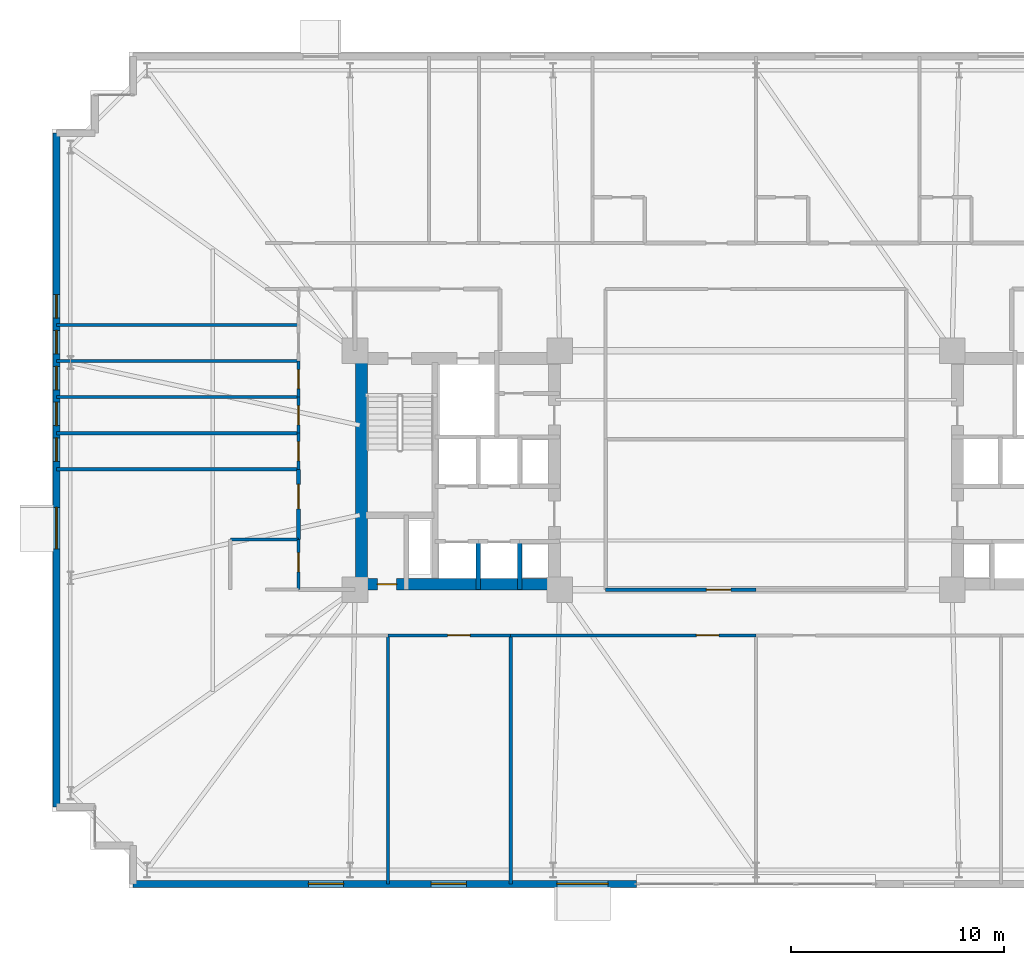
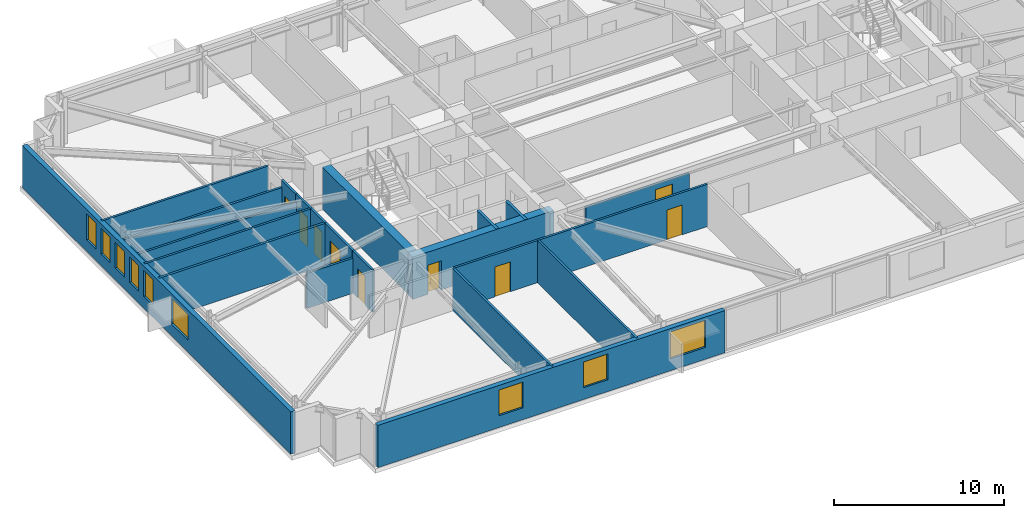
# One storey, part 18 of 24: 22 walls, 9 doors, 9 windows, 18 openings.
"""IFC4 building model written with IfcOpenShell, lengths in metres."""

from ifc_helpers import new_model, si_unit, direction, frame, frame_2d, origin, place, context, subcontext, project, spatial, rectangle, extrude, material, layer, layer_set, type_object, element, fill, save


model = new_model("IFC4")

# Units and contexts
model_context = context("Model", 3, precision=1e-05, world=origin(), true_north=direction((0.0, 1.0)))
body_context = subcontext(model_context, "Body", "Model", "MODEL_VIEW")
ifc_project = project(units=[si_unit("LENGTHUNIT", "METRE"), si_unit("AREAUNIT", "SQUARE_METRE"), si_unit("VOLUMEUNIT", "CUBIC_METRE"), si_unit("PLANEANGLEUNIT", "RADIAN"), si_unit("MASSUNIT", "GRAM", prefix="KILO")], contexts=[model_context])

# Site, building, storey
site_placement = place(None, origin())
site = spatial("IfcSite", under=ifc_project, at=site_placement, CompositionType="ELEMENT")
building_placement = place(site_placement, origin())
building = spatial("IfcBuilding", under=site, at=building_placement, Name="Qobustan Lattice House", CompositionType="ELEMENT")
storey_placement = place(building_placement, frame((0.0, 0.0, 43.75)))
storey = spatial("IfcBuildingStorey", under=building, at=storey_placement, Name="L11", CompositionType="ELEMENT", Elevation=43.75)

# Wall, opening, door
ifc_material_1 = material(Name="Concrete C60/75", Category="concrete")
ifc_layer_1 = layer(ifc_material_1, 0.56005859375)
ifc_layer_set_1 = layer_set([ifc_layer_1], Name="Concrete C60/75")
wall_type_1 = type_object("IfcWallType", Name="WAL-CORE-600", PredefinedType="SHEAR", material=ifc_layer_set_1)
wall_1_placement = place(storey_placement, frame((-18.800048828125, -5.35009765625, 0.0), z_axis=(0.0, 0.0, 1.0), x_axis=(1.0, 0.0, 0.0)))
wall_1 = element("IfcWall", 1, at=wall_1_placement, inside=storey, type_object=wall_type_1, Name="L11 split-core shear wall CW-S", PredefinedType="SHEAR", context=body_context, shape_type="SweptSolid", body=[
    extrude(rectangle(XDim=9.60009765625, YDim=0.56005859375, at=frame_2d((4.800048828125, 0.0))), origin(), (0.0, 0.0, 1.0), 3.034912109375),
])
opening_1_placement = place(wall_1_placement, frame((1.050048828125, 0.0, 0.0)))
opening_1 = element("IfcOpeningElement", 2, at=opening_1_placement, cuts=wall_1, Name="Opening RD-01", PredefinedType="OPENING", context=body_context, shape_type="SweptSolid", body=[
    extrude(rectangle(XDim=0.89990234375, YDim=2.10009765625, at=frame_2d((0.449951171875, 1.050048828125))), frame((0.0, 0.2900390625, 0.0), z_axis=(0.0, -1.0, 0.0), x_axis=(1.0, 0.0, 0.0)), (0.0, 0.0, 1.0), 0.580078125),
])
ifc_material_2 = material(Name="Persian walnut timber and steel frame door", Category="steel")
door_type_1 = type_object("IfcDoorType", Name="DOR-RISER-FD-900x2100", OperationType="NOTDEFINED", PredefinedType="DOOR", material=ifc_material_2)
door_1_placement = place(opening_1_placement, origin())
door_1 = element("IfcDoor", 3, at=door_1_placement, inside=storey, type_object=door_type_1, Name="L11 core service riser access door W", OperationType="SINGLE_SWING_LEFT", OverallHeight=2.10009765625, OverallWidth=0.89990234375, PredefinedType="DOOR", context=body_context, shape_type="SweptSolid", body=[
    extrude(rectangle(XDim=0.89990234375, YDim=2.10009765625, at=frame_2d((0.449951171875, 1.050048828125))), frame((0.0, 0.02490234375, 0.0), z_axis=(0.0, -1.0, 0.0), x_axis=(1.0, 0.0, 0.0)), (0.0, 0.0, 1.0), 0.050048828125),
])
fill(opening_1, door_1)

# Wall
wall_2_placement = place(storey_placement, frame((-18.489990234375, -5.050048828125, 0.0), z_axis=(0.0, 0.0, 1.0), x_axis=(0.0, 1.0, 0.0)))
element("IfcWall", 4, at=wall_2_placement, inside=storey, type_object=wall_type_1, Name="L11 split-core shear wall CW-W", PredefinedType="SHEAR", context=body_context, shape_type="SweptSolid", body=[
    extrude(rectangle(XDim=10.10009765625, YDim=0.56005859375, at=frame_2d((5.050048828125, 0.0))), origin(), (0.0, 0.0, 1.0), 3.034912109375),
])

# Wall, openings, windows
ifc_material_3 = material(Name="Precast concrete C40/50", Category="concrete")
ifc_layer_2 = layer(ifc_material_3, 0.320068359375)
ifc_layer_set_2 = layer_set([ifc_layer_2], Name="Precast concrete C40/50")
wall_type_2 = type_object("IfcWallType", Name="WAL-EXT-STONE-320", PredefinedType="SOLIDWALL", material=ifc_layer_set_2)
wall_3_placement = place(storey_placement, frame((-32.800048828125, -15.800048828125, 0.0), z_axis=(0.0, 0.0, 1.0), x_axis=(0.0, 1.0, 0.0)))
wall_3 = element("IfcWall", 5, at=wall_3_placement, inside=storey, type_object=wall_type_2, Name="L11 exterior limestone-clad wall 5", PredefinedType="SOLIDWALL", context=body_context, shape_type="SweptSolid", body=[
    extrude(rectangle(XDim=31.60009765625, YDim=0.320068359375, at=frame_2d((15.800048828125, 0.0))), origin(), (0.0, 0.0, 1.0), 3.034912109375),
])
opening_2_placement = place(wall_3_placement, frame((12.10498046875, 0.0, 0.85009765625)))
opening_2 = element("IfcOpeningElement", 6, at=opening_2_placement, cuts=wall_3, Name="Opening WN-08", PredefinedType="OPENING", context=body_context, shape_type="SweptSolid", body=[
    extrude(rectangle(XDim=1.949951171875, YDim=1.85009765625, at=frame_2d((0.97509765625, 0.925048828125))), frame((0.0, 0.169921875, 0.0), z_axis=(0.0, -1.0, 0.0), x_axis=(1.0, 0.0, 0.0)), (0.0, 0.0, 1.0), 0.340087890625),
])
opening_3_placement = place(wall_3_placement, frame((16.2099609375, 0.0, 0.85009765625)))
opening_3 = element("IfcOpeningElement", 7, at=opening_3_placement, cuts=wall_3, Name="Opening WN-04", PredefinedType="OPENING", context=body_context, shape_type="SweptSolid", body=[
    extrude(rectangle(XDim=1.10009765625, YDim=1.85009765625, at=frame_2d((0.550048828125, 0.925048828125))), frame((0.0, 0.169921875, 0.0), z_axis=(0.0, -1.0, 0.0), x_axis=(1.0, 0.0, 0.0)), (0.0, 0.0, 1.0), 0.340087890625),
])
opening_4_placement = place(wall_3_placement, frame((17.889892578125, 0.0, 0.85009765625)))
opening_4 = element("IfcOpeningElement", 8, at=opening_4_placement, cuts=wall_3, Name="Opening WN-04", PredefinedType="OPENING", context=body_context, shape_type="SweptSolid", body=[
    extrude(rectangle(XDim=1.10009765625, YDim=1.85009765625, at=frame_2d((0.550048828125, 0.925048828125))), frame((0.0, 0.169921875, 0.0), z_axis=(0.0, -1.0, 0.0), x_axis=(1.0, 0.0, 0.0)), (0.0, 0.0, 1.0), 0.340087890625),
])
opening_5_placement = place(wall_3_placement, frame((19.570068359375, 0.0, 0.85009765625)))
opening_5 = element("IfcOpeningElement", 9, at=opening_5_placement, cuts=wall_3, Name="Opening WN-04", PredefinedType="OPENING", context=body_context, shape_type="SweptSolid", body=[
    extrude(rectangle(XDim=1.10009765625, YDim=1.85009765625, at=frame_2d((0.550048828125, 0.925048828125))), frame((0.0, 0.169921875, 0.0), z_axis=(0.0, -1.0, 0.0), x_axis=(1.0, 0.0, 0.0)), (0.0, 0.0, 1.0), 0.340087890625),
])
opening_6_placement = place(wall_3_placement, frame((21.25, 0.0, 0.85009765625)))
opening_6 = element("IfcOpeningElement", 10, at=opening_6_placement, cuts=wall_3, Name="Opening WN-04", PredefinedType="OPENING", context=body_context, shape_type="SweptSolid", body=[
    extrude(rectangle(XDim=1.10009765625, YDim=1.85009765625, at=frame_2d((0.550048828125, 0.925048828125))), frame((0.0, 0.169921875, 0.0), z_axis=(0.0, -1.0, 0.0), x_axis=(1.0, 0.0, 0.0)), (0.0, 0.0, 1.0), 0.340087890625),
])
opening_7_placement = place(wall_3_placement, frame((22.929931640625, 0.0, 0.85009765625)))
opening_7 = element("IfcOpeningElement", 11, at=opening_7_placement, cuts=wall_3, Name="Opening WN-04", PredefinedType="OPENING", context=body_context, shape_type="SweptSolid", body=[
    extrude(rectangle(XDim=1.10009765625, YDim=1.85009765625, at=frame_2d((0.550048828125, 0.925048828125))), frame((0.0, 0.169921875, 0.0), z_axis=(0.0, -1.0, 0.0), x_axis=(1.0, 0.0, 0.0)), (0.0, 0.0, 1.0), 0.340087890625),
])
ifc_material_4 = material(Name="Double-glazed low-E aluminium window", Category="aluminium")
window_type_1 = type_object("IfcWindowType", Name="WIN-KIT-1950x1850", PartitioningType="SINGLE_PANEL", PredefinedType="WINDOW", material=ifc_material_4)
window_1_placement = place(opening_2_placement, origin())
window_1 = element("IfcWindow", 12, at=window_1_placement, inside=storey, type_object=window_type_1, Name="L11 Shared kitchen L11W window", OverallHeight=1.85009765625, OverallWidth=1.949951171875, PartitioningType="SINGLE_PANEL", PredefinedType="WINDOW", context=body_context, shape_type="SweptSolid", body=[
    extrude(rectangle(XDim=1.949951171875, YDim=1.85009765625, at=frame_2d((0.97509765625, 0.925048828125))), frame((0.0, 0.030029296875, 0.0), z_axis=(0.0, -1.0, 0.0), x_axis=(1.0, 0.0, 0.0)), (0.0, 0.0, 1.0), 0.06005859375),
])
fill(opening_2, window_1)
ifc_material_5 = material(Name="Double-glazed low-E aluminium window", Category="aluminium")
window_type_2 = type_object("IfcWindowType", Name="WIN-NAR-1100x1850", PartitioningType="SINGLE_PANEL", PredefinedType="WINDOW", material=ifc_material_5)
window_2_placement = place(opening_3_placement, origin())
window_2 = element("IfcWindow", 13, at=window_2_placement, inside=storey, type_object=window_type_2, Name="L11 Cluster bedroom L11W1 window", OverallHeight=1.85009765625, OverallWidth=1.10009765625, PartitioningType="SINGLE_PANEL", PredefinedType="WINDOW", context=body_context, shape_type="SweptSolid", body=[
    extrude(rectangle(XDim=1.10009765625, YDim=1.85009765625, at=frame_2d((0.550048828125, 0.925048828125))), frame((0.0, 0.030029296875, 0.0), z_axis=(0.0, -1.0, 0.0), x_axis=(1.0, 0.0, 0.0)), (0.0, 0.0, 1.0), 0.06005859375),
])
fill(opening_3, window_2)
window_3_placement = place(opening_4_placement, origin())
window_3 = element("IfcWindow", 14, at=window_3_placement, inside=storey, type_object=window_type_2, Name="L11 Cluster bedroom L11W2 window", OverallHeight=1.85009765625, OverallWidth=1.10009765625, PartitioningType="SINGLE_PANEL", PredefinedType="WINDOW", context=body_context, shape_type="SweptSolid", body=[
    extrude(rectangle(XDim=1.10009765625, YDim=1.85009765625, at=frame_2d((0.550048828125, 0.925048828125))), frame((0.0, 0.030029296875, 0.0), z_axis=(0.0, -1.0, 0.0), x_axis=(1.0, 0.0, 0.0)), (0.0, 0.0, 1.0), 0.06005859375),
])
fill(opening_4, window_3)
window_4_placement = place(opening_5_placement, origin())
window_4 = element("IfcWindow", 15, at=window_4_placement, inside=storey, type_object=window_type_2, Name="L11 Cluster bedroom L11W3 window", OverallHeight=1.85009765625, OverallWidth=1.10009765625, PartitioningType="SINGLE_PANEL", PredefinedType="WINDOW", context=body_context, shape_type="SweptSolid", body=[
    extrude(rectangle(XDim=1.10009765625, YDim=1.85009765625, at=frame_2d((0.550048828125, 0.925048828125))), frame((0.0, 0.030029296875, 0.0), z_axis=(0.0, -1.0, 0.0), x_axis=(1.0, 0.0, 0.0)), (0.0, 0.0, 1.0), 0.06005859375),
])
fill(opening_5, window_4)
window_5_placement = place(opening_6_placement, origin())
window_5 = element("IfcWindow", 16, at=window_5_placement, inside=storey, type_object=window_type_2, Name="L11 Cluster bedroom L11W4 window", OverallHeight=1.85009765625, OverallWidth=1.10009765625, PartitioningType="SINGLE_PANEL", PredefinedType="WINDOW", context=body_context, shape_type="SweptSolid", body=[
    extrude(rectangle(XDim=1.10009765625, YDim=1.85009765625, at=frame_2d((0.550048828125, 0.925048828125))), frame((0.0, 0.030029296875, 0.0), z_axis=(0.0, -1.0, 0.0), x_axis=(1.0, 0.0, 0.0)), (0.0, 0.0, 1.0), 0.06005859375),
])
fill(opening_6, window_5)
window_6_placement = place(opening_7_placement, origin())
window_6 = element("IfcWindow", 17, at=window_6_placement, inside=storey, type_object=window_type_2, Name="L11 Cluster bedroom L11W5 window", OverallHeight=1.85009765625, OverallWidth=1.10009765625, PartitioningType="SINGLE_PANEL", PredefinedType="WINDOW", context=body_context, shape_type="SweptSolid", body=[
    extrude(rectangle(XDim=1.10009765625, YDim=1.85009765625, at=frame_2d((0.550048828125, 0.925048828125))), frame((0.0, 0.030029296875, 0.0), z_axis=(0.0, -1.0, 0.0), x_axis=(1.0, 0.0, 0.0)), (0.0, 0.0, 1.0), 0.06005859375),
])
fill(opening_7, window_6)

wall_4_placement = place(storey_placement, frame((-5.60009765625, -19.39990234375, 0.0), z_axis=(0.0, 0.0, 1.0), x_axis=(-1.0, 0.0, 0.0)))
wall_4 = element("IfcWall", 18, at=wall_4_placement, inside=storey, type_object=wall_type_2, Name="L11 iwan flank stone wall B", PredefinedType="SOLIDWALL", context=body_context, shape_type="SweptSolid", body=[
    extrude(rectangle(XDim=23.599853515625, YDim=0.320068359375, at=frame_2d((11.7998046875, 0.0))), origin(), (0.0, 0.0, 1.0), 3.034912109375),
])
opening_8_placement = place(wall_4_placement, frame((1.330078125, 0.0, 0.85009765625)))
opening_8 = element("IfcOpeningElement", 19, at=opening_8_placement, cuts=wall_4, Name="Opening WN-10", PredefinedType="OPENING", context=body_context, shape_type="SweptSolid", body=[
    extrude(rectangle(XDim=2.39990234375, YDim=1.949951171875, at=frame_2d((1.199951171875, 0.97509765625))), frame((0.0, 0.169921875, 0.0), z_axis=(0.0, -1.0, 0.0), x_axis=(1.0, 0.0, 0.0)), (0.0, 0.0, 1.0), 0.340087890625),
])
opening_9_placement = place(wall_4_placement, frame((7.97509765625, 0.0, 0.85009765625)))
opening_9 = element("IfcOpeningElement", 20, at=opening_9_placement, cuts=wall_4, Name="Opening WN-09", PredefinedType="OPENING", context=body_context, shape_type="SweptSolid", body=[
    extrude(rectangle(XDim=1.64990234375, YDim=1.85009765625, at=frame_2d((0.824951171875, 0.925048828125))), frame((0.0, 0.169921875, 0.0), z_axis=(0.0, -1.0, 0.0), x_axis=(1.0, 0.0, 0.0)), (0.0, 0.0, 1.0), 0.340087890625),
])
opening_10_placement = place(wall_4_placement, frame((13.735107421875, 0.0, 0.85009765625)))
opening_10 = element("IfcOpeningElement", 21, at=opening_10_placement, cuts=wall_4, Name="Opening WN-09", PredefinedType="OPENING", context=body_context, shape_type="SweptSolid", body=[
    extrude(rectangle(XDim=1.64990234375, YDim=1.85009765625, at=frame_2d((0.824951171875, 0.925048828125))), frame((0.0, 0.169921875, 0.0), z_axis=(0.0, -1.0, 0.0), x_axis=(1.0, 0.0, 0.0)), (0.0, 0.0, 1.0), 0.340087890625),
])
ifc_material_6 = material(Name="Double-glazed low-E aluminium window", Category="aluminium")
window_type_3 = type_object("IfcWindowType", Name="WIN-LNG-2400x1950", PartitioningType="SINGLE_PANEL", PredefinedType="WINDOW", material=ifc_material_6)
window_7_placement = place(opening_8_placement, origin())
window_7 = element("IfcWindow", 22, at=window_7_placement, inside=storey, type_object=window_type_3, Name="L11 Walnut iwan sky lounge S2 window", OverallHeight=1.949951171875, OverallWidth=2.39990234375, PartitioningType="SINGLE_PANEL", PredefinedType="WINDOW", context=body_context, shape_type="SweptSolid", body=[
    extrude(rectangle(XDim=2.39990234375, YDim=1.949951171875, at=frame_2d((1.199951171875, 0.97509765625))), frame((0.0, 0.030029296875, 0.0), z_axis=(0.0, -1.0, 0.0), x_axis=(1.0, 0.0, 0.0)), (0.0, 0.0, 1.0), 0.06005859375),
])
fill(opening_8, window_7)
ifc_material_7 = material(Name="Double-glazed low-E aluminium window", Category="aluminium")
window_type_4 = type_object("IfcWindowType", Name="WIN-STU-1650x1850", PartitioningType="SINGLE_PANEL", PredefinedType="WINDOW", material=ifc_material_7)
window_8_placement = place(opening_9_placement, origin())
window_8 = element("IfcWindow", 23, at=window_8_placement, inside=storey, type_object=window_type_4, Name="L11 Focus study room S1B window", OverallHeight=1.85009765625, OverallWidth=1.64990234375, PartitioningType="SINGLE_PANEL", PredefinedType="WINDOW", context=body_context, shape_type="SweptSolid", body=[
    extrude(rectangle(XDim=1.64990234375, YDim=1.85009765625, at=frame_2d((0.824951171875, 0.925048828125))), frame((0.0, 0.030029296875, 0.0), z_axis=(0.0, -1.0, 0.0), x_axis=(1.0, 0.0, 0.0)), (0.0, 0.0, 1.0), 0.06005859375),
])
fill(opening_9, window_8)
window_9_placement = place(opening_10_placement, origin())
window_9 = element("IfcWindow", 24, at=window_9_placement, inside=storey, type_object=window_type_4, Name="L11 Focus study room S1A window", OverallHeight=1.85009765625, OverallWidth=1.64990234375, PartitioningType="SINGLE_PANEL", PredefinedType="WINDOW", context=body_context, shape_type="SweptSolid", body=[
    extrude(rectangle(XDim=1.64990234375, YDim=1.85009765625, at=frame_2d((0.824951171875, 0.925048828125))), frame((0.0, 0.030029296875, 0.0), z_axis=(0.0, -1.0, 0.0), x_axis=(1.0, 0.0, 0.0)), (0.0, 0.0, 1.0), 0.06005859375),
])
fill(opening_10, window_9)

# Wall, opening, door
ifc_material_8 = material(Name="Acoustic twin-stud gypsum partition", Category="gypsum")
ifc_layer_3 = layer(ifc_material_8, 0.14990234375)
ifc_layer_set_3 = layer_set([ifc_layer_3], Name="Acoustic twin-stud gypsum partition")
wall_type_3 = type_object("IfcWallType", Name="WAL-PART-150", PredefinedType="PARTITIONING", material=ifc_layer_set_3)
wall_5_placement = place(storey_placement, frame((-11.5, -7.75, 0.0), z_axis=(0.0, 0.0, 1.0), x_axis=(-1.0, 0.0, 0.0)))
wall_5 = element("IfcWall", 25, at=wall_5_placement, inside=storey, type_object=wall_type_3, Name="L11 interior partition 56", PredefinedType="PARTITIONING", context=body_context, shape_type="SweptSolid", body=[
    extrude(rectangle(XDim=5.75, YDim=0.14990234375, at=frame_2d((2.875, 0.0))), origin(), (0.0, 0.0, 1.0), 3.034912109375),
])
opening_11_placement = place(wall_5_placement, frame((1.907470703125, 0.0, 0.0)))
opening_11 = element("IfcOpeningElement", 26, at=opening_11_placement, cuts=wall_5, Name="Opening ID-02", PredefinedType="OPENING", context=body_context, shape_type="SweptSolid", body=[
    extrude(rectangle(XDim=1.050048828125, YDim=2.14990234375, at=frame_2d((0.52490234375, 1.074951171875))), frame((0.0, 0.0849609375, 0.0), z_axis=(0.0, -1.0, 0.0), x_axis=(1.0, 0.0, 0.0)), (0.0, 0.0, 1.0), 0.169921875),
])
ifc_material_9 = material(Name="Persian walnut timber and steel frame door", Category="steel")
door_type_2 = type_object("IfcDoorType", Name="DOR-STUDY-1050x2150", OperationType="NOTDEFINED", PredefinedType="DOOR", material=ifc_material_9)
door_2_placement = place(opening_11_placement, origin())
door_2 = element("IfcDoor", 27, at=door_2_placement, inside=storey, type_object=door_type_2, Name="L11 South-west floor corridor to Focus study room S1B door", OperationType="SINGLE_SWING_LEFT", OverallHeight=2.14990234375, OverallWidth=1.050048828125, PredefinedType="DOOR", context=body_context, shape_type="SweptSolid", body=[
    extrude(rectangle(XDim=1.050048828125, YDim=2.14990234375, at=frame_2d((0.52490234375, 1.074951171875))), frame((0.0, 0.02490234375, 0.0), z_axis=(0.0, -1.0, 0.0), x_axis=(1.0, 0.0, 0.0)), (0.0, 0.0, 1.0), 0.050048828125),
])
fill(opening_11, door_2)

wall_6_placement = place(storey_placement, frame((0.0, -7.75, 0.0), z_axis=(0.0, 0.0, 1.0), x_axis=(-1.0, 0.0, 0.0)))
wall_6 = element("IfcWall", 28, at=wall_6_placement, inside=storey, type_object=wall_type_3, Name="L11 interior partition 57", PredefinedType="PARTITIONING", context=body_context, shape_type="SweptSolid", body=[
    extrude(rectangle(XDim=11.5, YDim=0.14990234375, at=frame_2d((5.75, 0.0))), origin(), (0.0, 0.0, 1.0), 3.034912109375),
])
opening_12_placement = place(wall_6_placement, frame((1.7412109375, 0.0, 0.0)))
opening_12 = element("IfcOpeningElement", 29, at=opening_12_placement, cuts=wall_6, Name="Opening ID-02", PredefinedType="OPENING", context=body_context, shape_type="SweptSolid", body=[
    extrude(rectangle(XDim=1.050048828125, YDim=2.14990234375, at=frame_2d((0.52490234375, 1.074951171875))), frame((0.0, 0.0849609375, 0.0), z_axis=(0.0, -1.0, 0.0), x_axis=(1.0, 0.0, 0.0)), (0.0, 0.0, 1.0), 0.169921875),
])
door_3_placement = place(opening_12_placement, origin())
door_3 = element("IfcDoor", 30, at=door_3_placement, inside=storey, type_object=door_type_2, Name="L11 South-west floor corridor to Walnut iwan sky lounge S2 door", OperationType="SINGLE_SWING_RIGHT", OverallHeight=2.14990234375, OverallWidth=1.050048828125, PredefinedType="DOOR", context=body_context, shape_type="SweptSolid", body=[
    extrude(rectangle(XDim=1.050048828125, YDim=2.14990234375, at=frame_2d((0.52490234375, 1.074951171875))), frame((0.0, 0.02490234375, 0.0), z_axis=(0.0, -1.0, 0.0), x_axis=(1.0, 0.0, 0.0)), (0.0, 0.0, 1.0), 0.050048828125),
])
fill(opening_12, door_3)

wall_7_placement = place(storey_placement, frame((-21.449951171875, 0.0400390625, 0.0), z_axis=(0.0, 0.0, 1.0), x_axis=(0.0, 1.0, 0.0)))
wall_7 = element("IfcWall", 31, at=wall_7_placement, inside=storey, type_object=wall_type_3, Name="L11 interior partition 71", PredefinedType="PARTITIONING", context=body_context, shape_type="SweptSolid", body=[
    extrude(rectangle(XDim=1.69189453125, YDim=0.14990234375, at=frame_2d((0.845947265625, 0.0))), origin(), (0.0, 0.0, 1.0), 3.034912109375),
])
opening_13_placement = place(wall_7_placement, frame((0.39599609375, 0.0, 0.0)))
opening_13 = element("IfcOpeningElement", 32, at=opening_13_placement, cuts=wall_7, Name="Opening WD-01", PredefinedType="OPENING", context=body_context, shape_type="SweptSolid", body=[
    extrude(rectangle(XDim=0.89990234375, YDim=2.10009765625, at=frame_2d((0.449951171875, 1.050048828125))), frame((0.0, 0.0849609375, 0.0), z_axis=(0.0, -1.0, 0.0), x_axis=(1.0, 0.0, 0.0)), (0.0, 0.0, 1.0), 0.169921875),
])
ifc_material_10 = material(Name="Persian walnut timber and steel frame door", Category="steel")
door_type_3 = type_object("IfcDoorType", Name="DOR-WET-900x2100", OperationType="NOTDEFINED", PredefinedType="DOOR", material=ifc_material_10)
door_4_placement = place(opening_13_placement, origin())
door_4 = element("IfcDoor", 33, at=door_4_placement, inside=storey, type_object=door_type_3, Name="L11 Residence entrance hall L11W to Cluster bedroom L11W1 door", OperationType="SINGLE_SWING_LEFT", OverallHeight=2.10009765625, OverallWidth=0.89990234375, PredefinedType="DOOR", context=body_context, shape_type="SweptSolid", body=[
    extrude(rectangle(XDim=0.89990234375, YDim=2.10009765625, at=frame_2d((0.449951171875, 1.050048828125))), frame((0.0, 0.02490234375, 0.0), z_axis=(0.0, -1.0, 0.0), x_axis=(1.0, 0.0, 0.0)), (0.0, 0.0, 1.0), 0.050048828125),
])
fill(opening_13, door_4)

wall_8_placement = place(storey_placement, frame((-21.449951171875, 1.73193359375, 0.0), z_axis=(0.0, 0.0, 1.0), x_axis=(0.0, 1.0, 0.0)))
wall_8 = element("IfcWall", 34, at=wall_8_placement, inside=storey, type_object=wall_type_3, Name="L11 interior partition 72", PredefinedType="PARTITIONING", context=body_context, shape_type="SweptSolid", body=[
    extrude(rectangle(XDim=1.692138671875, YDim=0.14990234375, at=frame_2d((0.84619140625, 0.0))), origin(), (0.0, 0.0, 1.0), 3.034912109375),
])
opening_14_placement = place(wall_8_placement, frame((0.39599609375, 0.0, 0.0)))
opening_14 = element("IfcOpeningElement", 35, at=opening_14_placement, cuts=wall_8, Name="Opening WD-01", PredefinedType="OPENING", context=body_context, shape_type="SweptSolid", body=[
    extrude(rectangle(XDim=0.89990234375, YDim=2.10009765625, at=frame_2d((0.449951171875, 1.050048828125))), frame((0.0, 0.0849609375, 0.0), z_axis=(0.0, -1.0, 0.0), x_axis=(1.0, 0.0, 0.0)), (0.0, 0.0, 1.0), 0.169921875),
])
door_5_placement = place(opening_14_placement, origin())
door_5 = element("IfcDoor", 36, at=door_5_placement, inside=storey, type_object=door_type_3, Name="L11 Residence entrance hall L11W to Cluster bedroom L11W2 door", OperationType="SINGLE_SWING_RIGHT", OverallHeight=2.10009765625, OverallWidth=0.89990234375, PredefinedType="DOOR", context=body_context, shape_type="SweptSolid", body=[
    extrude(rectangle(XDim=0.89990234375, YDim=2.10009765625, at=frame_2d((0.449951171875, 1.050048828125))), frame((0.0, 0.02490234375, 0.0), z_axis=(0.0, -1.0, 0.0), x_axis=(1.0, 0.0, 0.0)), (0.0, 0.0, 1.0), 0.050048828125),
])
fill(opening_14, door_5)

wall_9_placement = place(storey_placement, frame((-21.449951171875, 3.424072265625, 0.0), z_axis=(0.0, 0.0, 1.0), x_axis=(0.0, 1.0, 0.0)))
wall_9 = element("IfcWall", 37, at=wall_9_placement, inside=storey, type_object=wall_type_3, Name="L11 interior partition 73", PredefinedType="PARTITIONING", context=body_context, shape_type="SweptSolid", body=[
    extrude(rectangle(XDim=1.69189453125, YDim=0.14990234375, at=frame_2d((0.845947265625, 0.0))), origin(), (0.0, 0.0, 1.0), 3.034912109375),
])
opening_15_placement = place(wall_9_placement, frame((0.39599609375, 0.0, 0.0)))
opening_15 = element("IfcOpeningElement", 38, at=opening_15_placement, cuts=wall_9, Name="Opening WD-01", PredefinedType="OPENING", context=body_context, shape_type="SweptSolid", body=[
    extrude(rectangle(XDim=0.89990234375, YDim=2.10009765625, at=frame_2d((0.449951171875, 1.050048828125))), frame((0.0, 0.0849609375, 0.0), z_axis=(0.0, -1.0, 0.0), x_axis=(1.0, 0.0, 0.0)), (0.0, 0.0, 1.0), 0.169921875),
])
door_6_placement = place(opening_15_placement, origin())
door_6 = element("IfcDoor", 39, at=door_6_placement, inside=storey, type_object=door_type_3, Name="L11 Residence entrance hall L11W to Cluster bedroom L11W3 door", OperationType="SINGLE_SWING_LEFT", OverallHeight=2.10009765625, OverallWidth=0.89990234375, PredefinedType="DOOR", context=body_context, shape_type="SweptSolid", body=[
    extrude(rectangle(XDim=0.89990234375, YDim=2.10009765625, at=frame_2d((0.449951171875, 1.050048828125))), frame((0.0, 0.02490234375, 0.0), z_axis=(0.0, -1.0, 0.0), x_axis=(1.0, 0.0, 0.0)), (0.0, 0.0, 1.0), 0.050048828125),
])
fill(opening_15, door_6)

# Walls
wall_10_placement = place(storey_placement, frame((-32.800048828125, 1.73193359375, 0.0), z_axis=(0.0, 0.0, 1.0), x_axis=(1.0, 0.0, 0.0)))
element("IfcWall", 40, at=wall_10_placement, inside=storey, type_object=wall_type_3, Name="L11 interior partition 79", PredefinedType="PARTITIONING", context=body_context, shape_type="SweptSolid", body=[
    extrude(rectangle(XDim=11.35009765625, YDim=0.14990234375, at=frame_2d((5.675048828125, 0.0))), origin(), (0.0, 0.0, 1.0), 3.034912109375),
])
for number, where, z_axis, x_axis, name in (
    (41, (-32.800048828125, 3.424072265625, 0.0), (0.0, 0.0, 1.0), (1.0, 0.0, 0.0), "L11 interior partition 80"),
    (42, (-32.800048828125, 5.115966796875, 0.0), (0.0, 0.0, 1.0), (1.0, 0.0, 0.0), "L11 interior partition 81"),
):
    element("IfcWall", number, at=place(storey_placement, frame(where, z_axis=z_axis, x_axis=x_axis)), inside=storey, type_object=wall_type_3, Name=name, PredefinedType="PARTITIONING", context=body_context, shape_type="SweptSolid", body=[
        extrude(rectangle(XDim=11.35009765625, YDim=0.14990234375, at=frame_2d((5.675048828125, 0.0))), origin(), (0.0, 0.0, 1.0), 2.52001953125),
    ])
wall_11_placement = place(storey_placement, frame((-32.800048828125, 6.80810546875, 0.0), z_axis=(0.0, 0.0, 1.0), x_axis=(1.0, 0.0, 0.0)))
element("IfcWall", 43, at=wall_11_placement, inside=storey, type_object=wall_type_3, Name="L11 interior partition 82", PredefinedType="PARTITIONING", context=body_context, shape_type="SweptSolid", body=[
    extrude(rectangle(XDim=11.35009765625, YDim=0.14990234375, at=frame_2d((5.675048828125, 0.0))), origin(), (0.0, 0.0, 1.0), 3.034912109375),
])
for number, where, z_axis, x_axis, name in (
    (44, (-17.25, -7.75, 0.0), (0.0, 0.0, 1.0), (0.0, -1.0, 0.0), "L11 interior partition 112"),
    (45, (-11.5, -7.75, 0.0), (0.0, 0.0, 1.0), (0.0, -1.0, 0.0), "L11 interior partition 113"),
):
    element("IfcWall", number, at=place(storey_placement, frame(where, z_axis=z_axis, x_axis=x_axis)), inside=storey, type_object=wall_type_3, Name=name, PredefinedType="PARTITIONING", context=body_context, shape_type="SweptSolid", body=[
        extrude(rectangle(XDim=11.64990234375, YDim=0.14990234375, at=frame_2d((5.824951171875, 0.0))), origin(), (0.0, 0.0, 1.0), 3.034912109375),
    ])

# Wall, opening, door
ifc_material_11 = material(Name="High-mass acoustic twin-stud partition", Category="gypsum")
ifc_layer_4 = layer(ifc_material_11, 0.1650390625)
ifc_layer_set_4 = layer_set([ifc_layer_4], Name="High-mass acoustic twin-stud partition")
wall_type_4 = type_object("IfcWallType", Name="WAL-PART-165", PredefinedType="PARTITIONING", material=ifc_layer_set_4)
wall_12_placement = place(storey_placement, frame((-7.050048828125, -5.60009765625, 0.0), z_axis=(0.0, 0.0, 1.0), x_axis=(1.0, 0.0, 0.0)))
wall_12 = element("IfcWall", 46, at=wall_12_placement, inside=storey, type_object=wall_type_4, Name="L11 interior partition 58", PredefinedType="PARTITIONING", context=body_context, shape_type="SweptSolid", body=[
    extrude(rectangle(XDim=7.050048828125, YDim=0.1650390625, at=frame_2d((3.52490234375, 0.0))), origin(), (0.0, 0.0, 1.0), 2.52001953125),
])
opening_16_placement = place(wall_12_placement, frame((4.7275390625, 0.0, 0.0)))
opening_16 = element("IfcOpeningElement", 47, at=opening_16_placement, cuts=wall_12, Name="Opening ID-03", PredefinedType="OPENING", context=body_context, shape_type="SweptSolid", body=[
    extrude(rectangle(XDim=1.14990234375, YDim=2.14990234375, at=frame_2d((0.574951171875, 1.074951171875))), frame((0.0, 0.092529296875, 0.0), z_axis=(0.0, -1.0, 0.0), x_axis=(1.0, 0.0, 0.0)), (0.0, 0.0, 1.0), 0.18505859375),
])
ifc_material_12 = material(Name="Persian walnut timber and steel frame door", Category="steel")
door_type_4 = type_object("IfcDoorType", Name="DOR-KITCH-1150x2150", OperationType="NOTDEFINED", PredefinedType="DOOR", material=ifc_material_12)
door_7_placement = place(opening_16_placement, origin())
door_7 = element("IfcDoor", 48, at=door_7_placement, inside=storey, type_object=door_type_4, Name="L11 South-west floor corridor to Communal dining kitchen door", OperationType="SINGLE_SWING_LEFT", OverallHeight=2.14990234375, OverallWidth=1.14990234375, PredefinedType="DOOR", context=body_context, shape_type="SweptSolid", body=[
    extrude(rectangle(XDim=1.14990234375, YDim=2.14990234375, at=frame_2d((0.574951171875, 1.074951171875))), frame((0.0, 0.02490234375, 0.0), z_axis=(0.0, -1.0, 0.0), x_axis=(1.0, 0.0, 0.0)), (0.0, 0.0, 1.0), 0.050048828125),
])
fill(opening_16, door_7)

wall_13_placement = place(storey_placement, frame((-21.449951171875, -3.25, 0.0), z_axis=(0.0, 0.0, 1.0), x_axis=(0.0, 1.0, 0.0)))
wall_13 = element("IfcWall", 49, at=wall_13_placement, inside=storey, type_object=wall_type_4, Name="L11 interior partition 70", PredefinedType="PARTITIONING", context=body_context, shape_type="SweptSolid", body=[
    extrude(rectangle(XDim=3.2900390625, YDim=0.1650390625, at=frame_2d((1.64501953125, 0.0))), origin(), (0.0, 0.0, 1.0), 3.034912109375),
])
opening_17_placement = place(wall_13_placement, frame((1.4375, 0.0, 0.0)))
opening_17 = element("IfcOpeningElement", 50, at=opening_17_placement, cuts=wall_13, Name="Opening ID-03", PredefinedType="OPENING", context=body_context, shape_type="SweptSolid", body=[
    extrude(rectangle(XDim=1.14990234375, YDim=2.14990234375, at=frame_2d((0.574951171875, 1.074951171875))), frame((0.0, 0.092529296875, 0.0), z_axis=(0.0, -1.0, 0.0), x_axis=(1.0, 0.0, 0.0)), (0.0, 0.0, 1.0), 0.18505859375),
])
door_8_placement = place(opening_17_placement, origin())
door_8 = element("IfcDoor", 51, at=door_8_placement, inside=storey, type_object=door_type_4, Name="L11 Residence entrance hall L11W to Shared kitchen L11W door", OperationType="SINGLE_SWING_RIGHT", OverallHeight=2.14990234375, OverallWidth=1.14990234375, PredefinedType="DOOR", context=body_context, shape_type="SweptSolid", body=[
    extrude(rectangle(XDim=1.14990234375, YDim=2.14990234375, at=frame_2d((0.574951171875, 1.074951171875))), frame((0.0, 0.02490234375, 0.0), z_axis=(0.0, -1.0, 0.0), x_axis=(1.0, 0.0, 0.0)), (0.0, 0.0, 1.0), 0.050048828125),
])
fill(opening_17, door_8)

# Walls
wall_14_placement = place(storey_placement, frame((-32.800048828125, 0.0400390625, 0.0), z_axis=(0.0, 0.0, 1.0), x_axis=(1.0, 0.0, 0.0)))
element("IfcWall", 52, at=wall_14_placement, inside=storey, type_object=wall_type_4, Name="L11 interior partition 78", PredefinedType="PARTITIONING", context=body_context, shape_type="SweptSolid", body=[
    extrude(rectangle(XDim=11.35009765625, YDim=0.1650390625, at=frame_2d((5.675048828125, 0.0))), origin(), (0.0, 0.0, 1.0), 3.034912109375),
])
ifc_material_13 = material(Name="Concrete C40/50", Category="concrete")
ifc_layer_5 = layer(ifc_material_13, 0.199951171875)
ifc_layer_set_5 = layer_set([ifc_layer_5], Name="Concrete C40/50")
wall_type_5 = type_object("IfcWallType", Name="WAL-SHAFT-200", PredefinedType="PARTITIONING", material=ifc_layer_set_5)
for number, where, z_axis, x_axis, name in (
    (53, (-13.02001953125, -5.60009765625, 0.0), (0.0, 0.0, 1.0), (0.0, 1.0, 0.0), "L11 interior partition 16"),
    (54, (-11.080078125, -5.60009765625, 0.0), (0.0, 0.0, 1.0), (0.0, 1.0, 0.0), "L11 interior partition 17"),
):
    element("IfcWall", number, at=place(storey_placement, frame(where, z_axis=z_axis, x_axis=x_axis)), inside=storey, type_object=wall_type_5, Name=name, PredefinedType="PARTITIONING", context=body_context, shape_type="SweptSolid", body=[
        extrude(rectangle(XDim=2.25, YDim=0.199951171875, at=frame_2d((1.125, 0.0))), origin(), (0.0, 0.0, 1.0), 3.034912109375),
    ])

# Wall, opening, door
ifc_material_14 = material(Name="Moisture-resistant acoustic plumbing wall", Category="gypsum")
ifc_layer_6 = layer(ifc_material_14, 0.14990234375)
ifc_layer_set_6 = layer_set([ifc_layer_6], Name="Moisture-resistant acoustic plumbing wall")
wall_type_6 = type_object("IfcWallType", Name="WAL-WET-150", PredefinedType="PLUMBINGWALL", material=ifc_layer_set_6)
wall_15_placement = place(storey_placement, frame((-21.449951171875, -5.60009765625, 0.0), z_axis=(0.0, 0.0, 1.0), x_axis=(0.0, 1.0, 0.0)))
wall_15 = element("IfcWall", 55, at=wall_15_placement, inside=storey, type_object=wall_type_6, Name="L11 interior partition 69", PredefinedType="PLUMBINGWALL", context=body_context, shape_type="SweptSolid", body=[
    extrude(rectangle(XDim=2.35009765625, YDim=0.14990234375, at=frame_2d((1.175048828125, 0.0))), origin(), (0.0, 0.0, 1.0), 3.034912109375),
])
opening_18_placement = place(wall_15_placement, frame((0.833740234375, 0.0, 0.0)))
opening_18 = element("IfcOpeningElement", 56, at=opening_18_placement, cuts=wall_15, Name="Opening WD-01", PredefinedType="OPENING", context=body_context, shape_type="SweptSolid", body=[
    extrude(rectangle(XDim=0.89990234375, YDim=2.10009765625, at=frame_2d((0.449951171875, 1.050048828125))), frame((0.0, 0.0849609375, 0.0), z_axis=(0.0, -1.0, 0.0), x_axis=(1.0, 0.0, 0.0)), (0.0, 0.0, 1.0), 0.169921875),
])
door_9_placement = place(opening_18_placement, origin())
door_9 = element("IfcDoor", 57, at=door_9_placement, inside=storey, type_object=door_type_3, Name="L11 Residence entrance hall L11W to Shared bathroom L11W door", OperationType="SINGLE_SWING_LEFT", OverallHeight=2.10009765625, OverallWidth=0.89990234375, PredefinedType="DOOR", context=body_context, shape_type="SweptSolid", body=[
    extrude(rectangle(XDim=0.89990234375, YDim=2.10009765625, at=frame_2d((0.449951171875, 1.050048828125))), frame((0.0, 0.02490234375, 0.0), z_axis=(0.0, -1.0, 0.0), x_axis=(1.0, 0.0, 0.0)), (0.0, 0.0, 1.0), 0.050048828125),
])
fill(opening_18, door_9)

# Wall
wall_16_placement = place(storey_placement, frame((-24.64990234375, -3.25, 0.0), z_axis=(0.0, 0.0, 1.0), x_axis=(1.0, 0.0, 0.0)))
element("IfcWall", 58, at=wall_16_placement, inside=storey, type_object=wall_type_6, Name="L11 interior partition 76", PredefinedType="PLUMBINGWALL", context=body_context, shape_type="SweptSolid", body=[
    extrude(rectangle(XDim=3.199951171875, YDim=0.14990234375, at=frame_2d((1.60009765625, 0.0))), origin(), (0.0, 0.0, 1.0), 2.52001953125),
])

save(model, "model.ifc")
